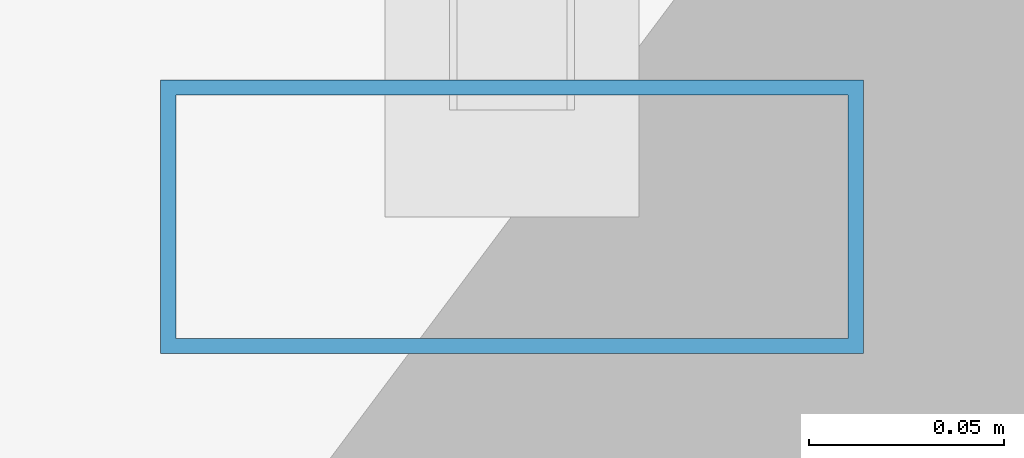
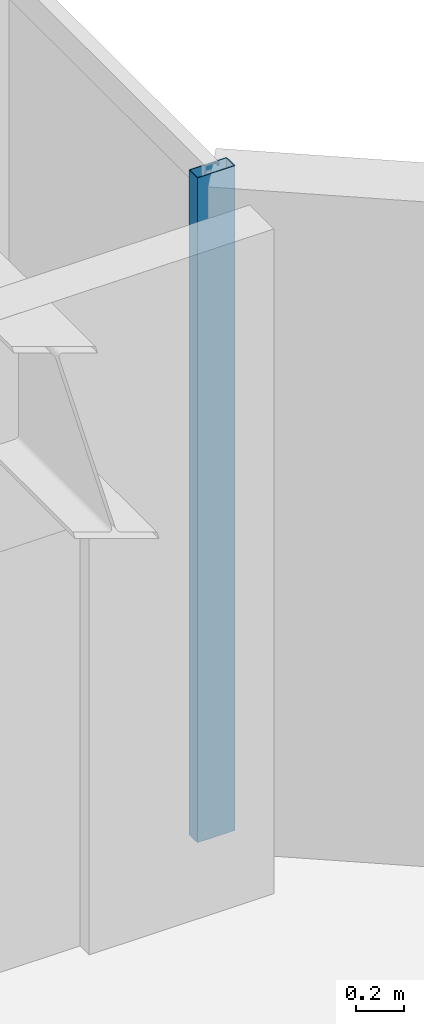
# One storey, part 15 of 27: 1 member, 1 element without a shape of its own.
"""IFC4 building model written with IfcOpenShell, lengths in metres."""

from ifc_helpers import new_model, si_unit, direction, frame, origin, origin_2d, place, context, subcontext, project, spatial, hollow_rectangle, extrude, material, layer, layer_set, material_profile, profile_set, type_object, element, aggregate, save


model = new_model("IFC4")

# Units and contexts
model_context = context("Model", 3, precision=1e-05, world=origin(), true_north=direction((0.0, 1.0)))
body_context = subcontext(model_context, "Body", "Model", "MODEL_VIEW")
ifc_project = project(units=[si_unit("LENGTHUNIT", "METRE"), si_unit("AREAUNIT", "SQUARE_METRE"), si_unit("VOLUMEUNIT", "CUBIC_METRE"), si_unit("PLANEANGLEUNIT", "RADIAN"), si_unit("MASSUNIT", "GRAM", prefix="KILO")], contexts=[model_context])

# Site, building, storey
site_placement = place(None, origin())
site = spatial("IfcSite", under=ifc_project, at=site_placement, CompositionType="ELEMENT")
building_placement = place(site_placement, origin())
building = spatial("IfcBuilding", under=site, at=building_placement, Name="Hatsunagi Terrace Concourse", CompositionType="ELEMENT")
storey_placement = place(building_placement, frame((0.0, 0.0, 167.25)))
storey = spatial("IfcBuildingStorey", under=building, at=storey_placement, Name="L44", CompositionType="ELEMENT", Elevation=167.25)

# Curtain wall, member
ifc_material_1 = material(Name="Anodised Aluminium Alloy 6063-T5", Category="aluminium")
ifc_layer = layer(ifc_material_1, 0.199951171875)
ifc_layer_set = layer_set([ifc_layer], Name="OfficeZone1_CW03")
curtain_wall_type = type_object("IfcCurtainWallType", Name="OfficeZone1_CW03", PredefinedType="NOTDEFINED", material=ifc_layer_set)
curtain_wall_placement = place(storey_placement, origin())
curtain_wall = element("IfcCurtainWall", 1, at=curtain_wall_placement, inside=storey, type_object=curtain_wall_type, Name="Unitised Curtain Wall CW-03 CW-L44-13", PredefinedType="NOTDEFINED")
ifc_material_2 = material(Name="Anodised Aluminium Alloy 6063-T5", Category="aluminium")
ifc_material_profile = material_profile(ifc_material_2, hollow_rectangle(XDim=0.070068359375, YDim=0.179931640625, WallThickness=0.00390625, at=origin_2d()), Name="ALU-MUL-180x70x4")
ifc_profile_set = profile_set([ifc_material_profile], Name="Anodised Aluminium Alloy 6063-T5")
member_type = type_object("IfcMemberType", Name="CurtainWallMullion_180x70", PredefinedType="MULLION", material=ifc_profile_set)
member_placement = place(storey_placement, frame((44.860107421875, 40.72998046875, 0.0), z_axis=(0.0, 0.0, 1.0), x_axis=(0.0, -1.0, 0.0)))
member = element("IfcMember", 2, at=member_placement, type_object=member_type, Name="Curtain Wall Mullion MUL-02", PredefinedType="MULLION", context=body_context, shape_type="SweptSolid", body=[
    extrude(hollow_rectangle(XDim=0.070068359375, YDim=0.179931640625, WallThickness=0.00390625, at=origin_2d()), origin(), (0.0, 0.0, 1.0), 3.35009765625),
])
aggregate(curtain_wall, [member])

save(model, "model.ifc")
